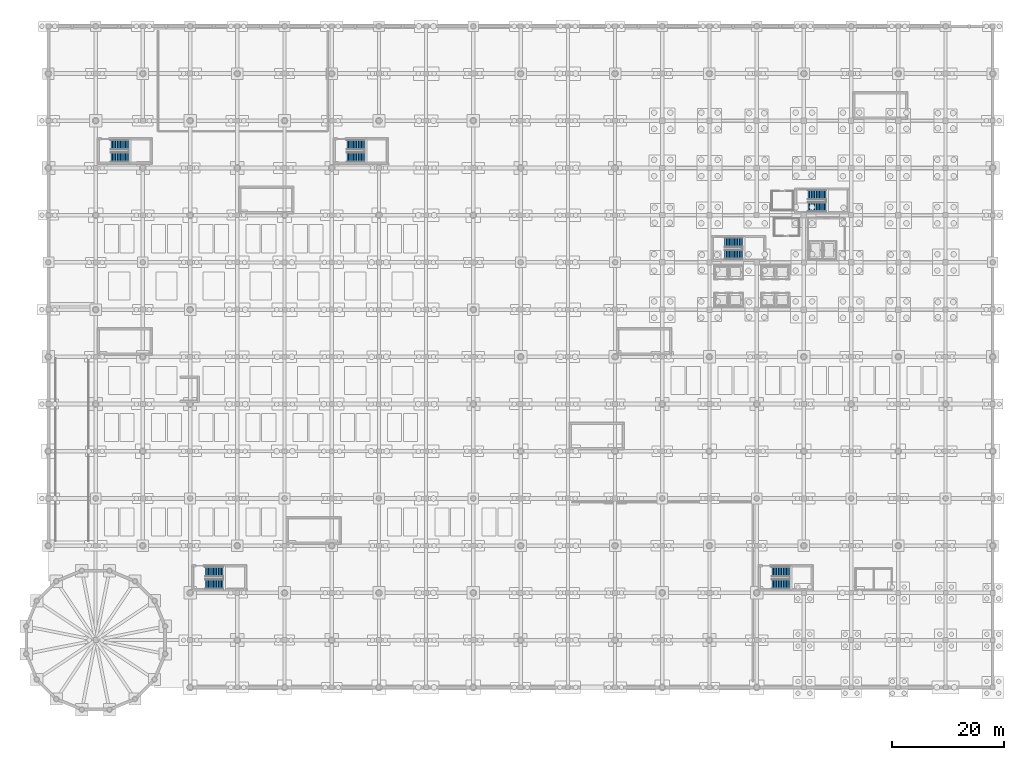
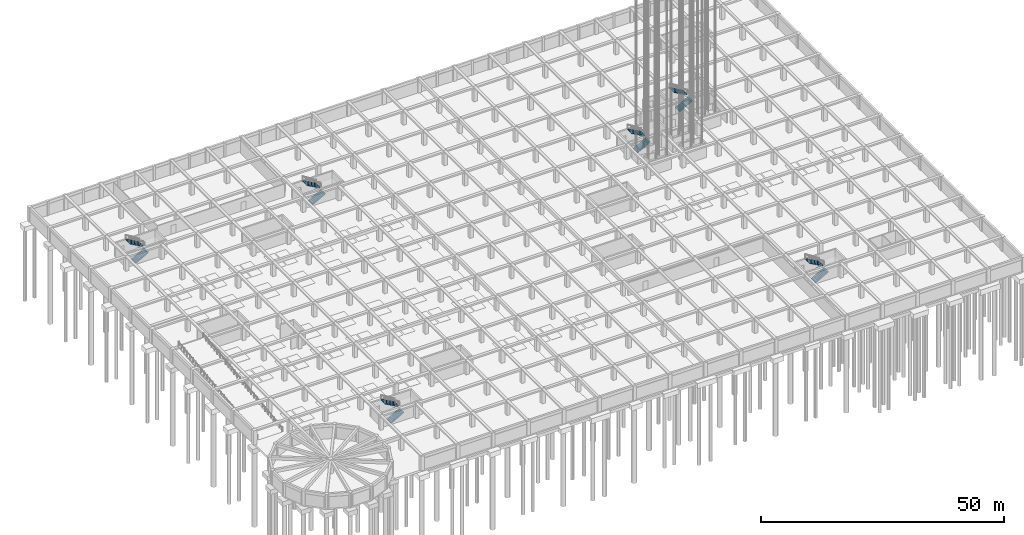
# One storey, part 24 of 47: 12 stair flights, 6 elements without a shape of their own.
"""IFC4 building model written with IfcOpenShell, lengths in metres."""

from ifc_helpers import new_model, si_unit, direction, frame, origin, place, context, subcontext, project, spatial, polyline, outline, extrude, material, layer, layer_set, type_object, element, aggregate, save


model = new_model("IFC4")

# Units and contexts
model_context = context("Model", 3, precision=1e-05, world=origin(), true_north=direction((0.0, 1.0)))
body_context = subcontext(model_context, "Body", "Model", "MODEL_VIEW")
ifc_project = project(units=[si_unit("LENGTHUNIT", "METRE"), si_unit("AREAUNIT", "SQUARE_METRE"), si_unit("VOLUMEUNIT", "CUBIC_METRE"), si_unit("PLANEANGLEUNIT", "RADIAN"), si_unit("MASSUNIT", "GRAM", prefix="KILO")], contexts=[model_context])

# Site, building, storey
site_placement = place(None, origin())
site = spatial("IfcSite", under=ifc_project, at=site_placement, CompositionType="ELEMENT")
building_placement = place(site_placement, origin())
building = spatial("IfcBuilding", under=site, at=building_placement, Name="Almacenes y Pasaje Nevantli", CompositionType="ELEMENT")
storey_placement = place(building_placement, frame((0.0, 0.0, -8.10009765625)))
storey = spatial("IfcBuildingStorey", under=building, at=storey_placement, Name="B02", CompositionType="ELEMENT", Elevation=-8.10009765625)

# Stair, stair flights
ifc_material_1 = material(Name="Concrete C35/45", Category="concrete")
stair_type_1 = type_object("IfcStairType", Name="STR-CORE-1720", PredefinedType="HALF_TURN_STAIR", material=ifc_material_1)
stair_1_placement = place(storey_placement, origin())
stair_1 = element("IfcStair", 1, at=stair_1_placement, inside=storey, type_object=stair_type_1, Name="B02 Staircase ST-01", PredefinedType="HALF_TURN_STAIR")
ifc_material_2 = material(Name="Concrete C35/45", Category="concrete")
ifc_layer = layer(ifc_material_2, 0.199951171875)
ifc_layer_set = layer_set([ifc_layer], Name="Concrete C35/45")
stair_flight_type = type_object("IfcStairFlightType", Name="SFL-RC-200", PredefinedType="STRAIGHT", material=ifc_layer_set)
stair_flight_1_placement = place(storey_placement, frame((120.300048828125, 77.010009765625, 0.0), z_axis=(0.0, 0.0, 1.0), x_axis=(1.0, 0.0, 0.0)))
stair_flight_1 = element("IfcStairFlight", 2, at=stair_flight_1_placement, type_object=stair_flight_type, Name="ST-01-B02 flight 1", NumberOfRisers=12, NumberOfTreads=11, PredefinedType="STRAIGHT", RiserHeight=0.1625, TreadLength=0.29, context=body_context, shape_type="SweptSolid", body=[
    extrude(outline(polyline([(0.0, 0.0), (0.0, 0.16259765625), (0.2900390625, 0.16259765625), (0.2900390625, 0.324951171875), (0.580078125, 0.324951171875), (0.580078125, 0.487548828125), (0.8701171875, 0.487548828125), (0.8701171875, 0.64990234375), (1.159912109375, 0.64990234375), (1.159912109375, 0.8125), (1.449951171875, 0.8125), (1.449951171875, 0.97509765625), (1.739990234375, 0.97509765625), (1.739990234375, 1.137451171875), (2.030029296875, 1.137451171875), (2.030029296875, 1.300048828125), (2.320068359375, 1.300048828125), (2.320068359375, 1.46240234375), (2.610107421875, 1.46240234375), (2.610107421875, 1.625), (2.89990234375, 1.625), (2.89990234375, 1.78759765625), (3.18994140625, 1.78759765625), (3.18994140625, 1.949951171875), (3.18994140625, 1.558349609375), (0.408935546875, 0.0), (0.0, 0.0)])), frame((0.0, 0.85986328125, 0.0), z_axis=(0.0, -1.0, 0.0), x_axis=(1.0, 0.0, 0.0)), (0.0, 0.0, 1.0), 1.719970703125),
])
stair_flight_2_placement = place(storey_placement, frame((123.489990234375, 79.179931640625, 1.9501953125), z_axis=(0.0, 0.0, 1.0), x_axis=(-1.0, 0.0, 0.0)))
stair_flight_2 = element("IfcStairFlight", 3, at=stair_flight_2_placement, type_object=stair_flight_type, Name="ST-01-B02 flight 2", NumberOfRisers=12, NumberOfTreads=11, PredefinedType="STRAIGHT", RiserHeight=0.1625, TreadLength=0.29, context=body_context, shape_type="SweptSolid", body=[
    extrude(outline(polyline([(0.0, 0.0), (0.0, 0.16259765625), (0.2900390625, 0.16259765625), (0.2900390625, 0.324951171875), (0.580078125, 0.324951171875), (0.580078125, 0.487548828125), (0.8701171875, 0.487548828125), (0.8701171875, 0.64990234375), (1.159912109375, 0.64990234375), (1.159912109375, 0.8125), (1.449951171875, 0.8125), (1.449951171875, 0.97509765625), (1.739990234375, 0.97509765625), (1.739990234375, 1.137451171875), (2.030029296875, 1.137451171875), (2.030029296875, 1.300048828125), (2.320068359375, 1.300048828125), (2.320068359375, 1.46240234375), (2.610107421875, 1.46240234375), (2.610107421875, 1.625), (2.89990234375, 1.625), (2.89990234375, 1.78759765625), (3.18994140625, 1.78759765625), (3.18994140625, 1.949951171875), (3.18994140625, 1.558349609375), (0.408935546875, 0.0), (0.0, 0.0)])), frame((0.0, 0.85986328125, 0.0), z_axis=(0.0, -1.0, 0.0), x_axis=(1.0, 0.0, 0.0)), (0.0, 0.0, 1.0), 1.719970703125),
])
aggregate(stair_1, [stair_flight_1, stair_flight_2])

stair_2_placement = place(storey_placement, origin())
stair_2 = element("IfcStair", 4, at=stair_2_placement, inside=storey, type_object=stair_type_1, Name="B02 Staircase ST-02", PredefinedType="HALF_TURN_STAIR")
stair_flight_3_placement = place(storey_placement, frame((135.14990234375, 85.4599609375, 0.0), z_axis=(0.0, 0.0, 1.0), x_axis=(1.0, 0.0, 0.0)))
stair_flight_3 = element("IfcStairFlight", 5, at=stair_flight_3_placement, type_object=stair_flight_type, Name="ST-02-B02 flight 1", NumberOfRisers=12, NumberOfTreads=11, PredefinedType="STRAIGHT", RiserHeight=0.1625, TreadLength=0.29, context=body_context, shape_type="SweptSolid", body=[
    extrude(outline(polyline([(0.0, 0.0), (0.0, 0.16259765625), (0.2900390625, 0.16259765625), (0.2900390625, 0.324951171875), (0.580078125, 0.324951171875), (0.580078125, 0.487548828125), (0.8701171875, 0.487548828125), (0.8701171875, 0.64990234375), (1.159912109375, 0.64990234375), (1.159912109375, 0.8125), (1.449951171875, 0.8125), (1.449951171875, 0.97509765625), (1.739990234375, 0.97509765625), (1.739990234375, 1.137451171875), (2.030029296875, 1.137451171875), (2.030029296875, 1.300048828125), (2.320068359375, 1.300048828125), (2.320068359375, 1.46240234375), (2.610107421875, 1.46240234375), (2.610107421875, 1.625), (2.89990234375, 1.625), (2.89990234375, 1.78759765625), (3.18994140625, 1.78759765625), (3.18994140625, 1.949951171875), (3.18994140625, 1.558349609375), (0.408935546875, 0.0), (0.0, 0.0)])), frame((0.0, 0.85986328125, 0.0), z_axis=(0.0, -1.0, 0.0), x_axis=(1.0, 0.0, 0.0)), (0.0, 0.0, 1.0), 1.719970703125),
])
stair_flight_4_placement = place(storey_placement, frame((138.340087890625, 87.6298828125, 1.9501953125), z_axis=(0.0, 0.0, 1.0), x_axis=(-1.0, 0.0, 0.0)))
stair_flight_4 = element("IfcStairFlight", 6, at=stair_flight_4_placement, type_object=stair_flight_type, Name="ST-02-B02 flight 2", NumberOfRisers=12, NumberOfTreads=11, PredefinedType="STRAIGHT", RiserHeight=0.1625, TreadLength=0.29, context=body_context, shape_type="SweptSolid", body=[
    extrude(outline(polyline([(0.0, 0.0), (0.0, 0.16259765625), (0.2900390625, 0.16259765625), (0.2900390625, 0.324951171875), (0.580078125, 0.324951171875), (0.580078125, 0.487548828125), (0.8701171875, 0.487548828125), (0.8701171875, 0.64990234375), (1.159912109375, 0.64990234375), (1.159912109375, 0.8125), (1.449951171875, 0.8125), (1.449951171875, 0.97509765625), (1.739990234375, 0.97509765625), (1.739990234375, 1.137451171875), (2.030029296875, 1.137451171875), (2.030029296875, 1.300048828125), (2.320068359375, 1.300048828125), (2.320068359375, 1.46240234375), (2.610107421875, 1.46240234375), (2.610107421875, 1.625), (2.89990234375, 1.625), (2.89990234375, 1.78759765625), (3.18994140625, 1.78759765625), (3.18994140625, 1.949951171875), (3.18994140625, 1.558349609375), (0.408935546875, 0.0), (0.0, 0.0)])), frame((0.0, 0.85986328125, 0.0), z_axis=(0.0, -1.0, 0.0), x_axis=(1.0, 0.0, 0.0)), (0.0, 0.0, 1.0), 1.719970703125),
])
aggregate(stair_2, [stair_flight_3, stair_flight_4])

ifc_material_3 = material(Name="Concrete C35/45", Category="concrete")
stair_type_2 = type_object("IfcStairType", Name="STR-CORE-1750", PredefinedType="HALF_TURN_STAIR", material=ifc_material_3)
stair_3_placement = place(storey_placement, origin())
stair_3 = element("IfcStair", 7, at=stair_3_placement, inside=storey, type_object=stair_type_2, Name="B02 Staircase ST-03", PredefinedType="HALF_TURN_STAIR")
stair_flight_5_placement = place(storey_placement, frame((11.10009765625, 94.324951171875, 0.0), z_axis=(0.0, 0.0, 1.0), x_axis=(1.0, 0.0, 0.0)))
stair_flight_5 = element("IfcStairFlight", 8, at=stair_flight_5_placement, type_object=stair_flight_type, Name="ST-03-B02 flight 1", NumberOfRisers=12, NumberOfTreads=11, PredefinedType="STRAIGHT", RiserHeight=0.1625, TreadLength=0.29, context=body_context, shape_type="SweptSolid", body=[
    extrude(outline(polyline([(0.0, 0.0), (0.0, 0.16259765625), (0.2900390625, 0.16259765625), (0.2900390625, 0.324951171875), (0.580078125, 0.324951171875), (0.580078125, 0.487548828125), (0.8701171875, 0.487548828125), (0.8701171875, 0.64990234375), (1.159912109375, 0.64990234375), (1.159912109375, 0.8125), (1.449951171875, 0.8125), (1.449951171875, 0.97509765625), (1.739990234375, 0.97509765625), (1.739990234375, 1.137451171875), (2.030029296875, 1.137451171875), (2.030029296875, 1.300048828125), (2.320068359375, 1.300048828125), (2.320068359375, 1.46240234375), (2.610107421875, 1.46240234375), (2.610107421875, 1.625), (2.89990234375, 1.625), (2.89990234375, 1.78759765625), (3.18994140625, 1.78759765625), (3.18994140625, 1.949951171875), (3.18994140625, 1.558349609375), (0.408935546875, 0.0), (0.0, 0.0)])), frame((0.0, 0.875, 0.0), z_axis=(0.0, -1.0, 0.0), x_axis=(1.0, 0.0, 0.0)), (0.0, 0.0, 1.0), 1.75),
])
stair_flight_6_placement = place(storey_placement, frame((14.2900390625, 96.52490234375, 1.9501953125), z_axis=(0.0, 0.0, 1.0), x_axis=(-1.0, 0.0, 0.0)))
stair_flight_6 = element("IfcStairFlight", 9, at=stair_flight_6_placement, type_object=stair_flight_type, Name="ST-03-B02 flight 2", NumberOfRisers=12, NumberOfTreads=11, PredefinedType="STRAIGHT", RiserHeight=0.1625, TreadLength=0.29, context=body_context, shape_type="SweptSolid", body=[
    extrude(outline(polyline([(0.0, 0.0), (0.0, 0.16259765625), (0.2900390625, 0.16259765625), (0.2900390625, 0.324951171875), (0.580078125, 0.324951171875), (0.580078125, 0.487548828125), (0.8701171875, 0.487548828125), (0.8701171875, 0.64990234375), (1.159912109375, 0.64990234375), (1.159912109375, 0.8125), (1.449951171875, 0.8125), (1.449951171875, 0.97509765625), (1.739990234375, 0.97509765625), (1.739990234375, 1.137451171875), (2.030029296875, 1.137451171875), (2.030029296875, 1.300048828125), (2.320068359375, 1.300048828125), (2.320068359375, 1.46240234375), (2.610107421875, 1.46240234375), (2.610107421875, 1.625), (2.89990234375, 1.625), (2.89990234375, 1.78759765625), (3.18994140625, 1.78759765625), (3.18994140625, 1.949951171875), (3.18994140625, 1.558349609375), (0.408935546875, 0.0), (0.0, 0.0)])), frame((0.0, 0.875, 0.0), z_axis=(0.0, -1.0, 0.0), x_axis=(1.0, 0.0, 0.0)), (0.0, 0.0, 1.0), 1.75),
])
aggregate(stair_3, [stair_flight_5, stair_flight_6])

stair_4_placement = place(storey_placement, origin())
stair_4 = element("IfcStair", 10, at=stair_4_placement, inside=storey, type_object=stair_type_2, Name="B02 Staircase ST-04", PredefinedType="HALF_TURN_STAIR")
stair_flight_7_placement = place(storey_placement, frame((27.89990234375, 18.375, 0.0), z_axis=(0.0, 0.0, 1.0), x_axis=(1.0, 0.0, 0.0)))
stair_flight_7 = element("IfcStairFlight", 11, at=stair_flight_7_placement, type_object=stair_flight_type, Name="ST-04-B02 flight 1", NumberOfRisers=12, NumberOfTreads=11, PredefinedType="STRAIGHT", RiserHeight=0.1625, TreadLength=0.29, context=body_context, shape_type="SweptSolid", body=[
    extrude(outline(polyline([(0.0, 0.0), (0.0, 0.16259765625), (0.2900390625, 0.16259765625), (0.2900390625, 0.324951171875), (0.580078125, 0.324951171875), (0.580078125, 0.487548828125), (0.8701171875, 0.487548828125), (0.8701171875, 0.64990234375), (1.159912109375, 0.64990234375), (1.159912109375, 0.8125), (1.449951171875, 0.8125), (1.449951171875, 0.97509765625), (1.739990234375, 0.97509765625), (1.739990234375, 1.137451171875), (2.030029296875, 1.137451171875), (2.030029296875, 1.300048828125), (2.320068359375, 1.300048828125), (2.320068359375, 1.46240234375), (2.610107421875, 1.46240234375), (2.610107421875, 1.625), (2.89990234375, 1.625), (2.89990234375, 1.78759765625), (3.18994140625, 1.78759765625), (3.18994140625, 1.949951171875), (3.18994140625, 1.558349609375), (0.408935546875, 0.0), (0.0, 0.0)])), frame((0.0, 0.875, 0.0), z_axis=(0.0, -1.0, 0.0), x_axis=(1.0, 0.0, 0.0)), (0.0, 0.0, 1.0), 1.75),
])
stair_flight_8_placement = place(storey_placement, frame((31.090087890625, 20.574951171875, 1.9501953125), z_axis=(0.0, 0.0, 1.0), x_axis=(-1.0, 0.0, 0.0)))
stair_flight_8 = element("IfcStairFlight", 12, at=stair_flight_8_placement, type_object=stair_flight_type, Name="ST-04-B02 flight 2", NumberOfRisers=12, NumberOfTreads=11, PredefinedType="STRAIGHT", RiserHeight=0.1625, TreadLength=0.29, context=body_context, shape_type="SweptSolid", body=[
    extrude(outline(polyline([(0.0, 0.0), (0.0, 0.16259765625), (0.2900390625, 0.16259765625), (0.2900390625, 0.324951171875), (0.580078125, 0.324951171875), (0.580078125, 0.487548828125), (0.8701171875, 0.487548828125), (0.8701171875, 0.64990234375), (1.159912109375, 0.64990234375), (1.159912109375, 0.8125), (1.449951171875, 0.8125), (1.449951171875, 0.97509765625), (1.739990234375, 0.97509765625), (1.739990234375, 1.137451171875), (2.030029296875, 1.137451171875), (2.030029296875, 1.300048828125), (2.320068359375, 1.300048828125), (2.320068359375, 1.46240234375), (2.610107421875, 1.46240234375), (2.610107421875, 1.625), (2.89990234375, 1.625), (2.89990234375, 1.78759765625), (3.18994140625, 1.78759765625), (3.18994140625, 1.949951171875), (3.18994140625, 1.558349609375), (0.408935546875, 0.0), (0.0, 0.0)])), frame((0.0, 0.875, 0.0), z_axis=(0.0, -1.0, 0.0), x_axis=(1.0, 0.0, 0.0)), (0.0, 0.0, 1.0), 1.75),
])
aggregate(stair_4, [stair_flight_7, stair_flight_8])

stair_5_placement = place(storey_placement, origin())
stair_5 = element("IfcStair", 13, at=stair_5_placement, inside=storey, type_object=stair_type_2, Name="B02 Staircase ST-05", PredefinedType="HALF_TURN_STAIR")
stair_flight_9_placement = place(storey_placement, frame((53.10009765625, 94.324951171875, 0.0), z_axis=(0.0, 0.0, 1.0), x_axis=(1.0, 0.0, 0.0)))
stair_flight_9 = element("IfcStairFlight", 14, at=stair_flight_9_placement, type_object=stair_flight_type, Name="ST-05-B02 flight 1", NumberOfRisers=12, NumberOfTreads=11, PredefinedType="STRAIGHT", RiserHeight=0.1625, TreadLength=0.29, context=body_context, shape_type="SweptSolid", body=[
    extrude(outline(polyline([(0.0, 0.0), (0.0, 0.16259765625), (0.2900390625, 0.16259765625), (0.2900390625, 0.324951171875), (0.580078125, 0.324951171875), (0.580078125, 0.487548828125), (0.8701171875, 0.487548828125), (0.8701171875, 0.64990234375), (1.159912109375, 0.64990234375), (1.159912109375, 0.8125), (1.449951171875, 0.8125), (1.449951171875, 0.97509765625), (1.739990234375, 0.97509765625), (1.739990234375, 1.137451171875), (2.030029296875, 1.137451171875), (2.030029296875, 1.300048828125), (2.320068359375, 1.300048828125), (2.320068359375, 1.46240234375), (2.610107421875, 1.46240234375), (2.610107421875, 1.625), (2.89990234375, 1.625), (2.89990234375, 1.78759765625), (3.18994140625, 1.78759765625), (3.18994140625, 1.949951171875), (3.18994140625, 1.558349609375), (0.408935546875, 0.0), (0.0, 0.0)])), frame((0.0, 0.875, 0.0), z_axis=(0.0, -1.0, 0.0), x_axis=(1.0, 0.0, 0.0)), (0.0, 0.0, 1.0), 1.75),
])
stair_flight_10_placement = place(storey_placement, frame((56.2900390625, 96.52490234375, 1.9501953125), z_axis=(0.0, 0.0, 1.0), x_axis=(-1.0, 0.0, 0.0)))
stair_flight_10 = element("IfcStairFlight", 15, at=stair_flight_10_placement, type_object=stair_flight_type, Name="ST-05-B02 flight 2", NumberOfRisers=12, NumberOfTreads=11, PredefinedType="STRAIGHT", RiserHeight=0.1625, TreadLength=0.29, context=body_context, shape_type="SweptSolid", body=[
    extrude(outline(polyline([(0.0, 0.0), (0.0, 0.16259765625), (0.2900390625, 0.16259765625), (0.2900390625, 0.324951171875), (0.580078125, 0.324951171875), (0.580078125, 0.487548828125), (0.8701171875, 0.487548828125), (0.8701171875, 0.64990234375), (1.159912109375, 0.64990234375), (1.159912109375, 0.8125), (1.449951171875, 0.8125), (1.449951171875, 0.97509765625), (1.739990234375, 0.97509765625), (1.739990234375, 1.137451171875), (2.030029296875, 1.137451171875), (2.030029296875, 1.300048828125), (2.320068359375, 1.300048828125), (2.320068359375, 1.46240234375), (2.610107421875, 1.46240234375), (2.610107421875, 1.625), (2.89990234375, 1.625), (2.89990234375, 1.78759765625), (3.18994140625, 1.78759765625), (3.18994140625, 1.949951171875), (3.18994140625, 1.558349609375), (0.408935546875, 0.0), (0.0, 0.0)])), frame((0.0, 0.875, 0.0), z_axis=(0.0, -1.0, 0.0), x_axis=(1.0, 0.0, 0.0)), (0.0, 0.0, 1.0), 1.75),
])
aggregate(stair_5, [stair_flight_9, stair_flight_10])

stair_6_placement = place(storey_placement, origin())
stair_6 = element("IfcStair", 16, at=stair_6_placement, inside=storey, type_object=stair_type_2, Name="B02 Staircase ST-06", PredefinedType="HALF_TURN_STAIR")
stair_flight_11_placement = place(storey_placement, frame((128.699951171875, 18.375, 0.0), z_axis=(0.0, 0.0, 1.0), x_axis=(1.0, 0.0, 0.0)))
stair_flight_11 = element("IfcStairFlight", 17, at=stair_flight_11_placement, type_object=stair_flight_type, Name="ST-06-B02 flight 1", NumberOfRisers=12, NumberOfTreads=11, PredefinedType="STRAIGHT", RiserHeight=0.1625, TreadLength=0.29, context=body_context, shape_type="SweptSolid", body=[
    extrude(outline(polyline([(0.0, 0.0), (0.0, 0.16259765625), (0.2900390625, 0.16259765625), (0.2900390625, 0.324951171875), (0.580078125, 0.324951171875), (0.580078125, 0.487548828125), (0.8701171875, 0.487548828125), (0.8701171875, 0.64990234375), (1.159912109375, 0.64990234375), (1.159912109375, 0.8125), (1.449951171875, 0.8125), (1.449951171875, 0.97509765625), (1.739990234375, 0.97509765625), (1.739990234375, 1.137451171875), (2.030029296875, 1.137451171875), (2.030029296875, 1.300048828125), (2.320068359375, 1.300048828125), (2.320068359375, 1.46240234375), (2.610107421875, 1.46240234375), (2.610107421875, 1.625), (2.89990234375, 1.625), (2.89990234375, 1.78759765625), (3.18994140625, 1.78759765625), (3.18994140625, 1.949951171875), (3.18994140625, 1.558349609375), (0.408935546875, 0.0), (0.0, 0.0)])), frame((0.0, 0.875, 0.0), z_axis=(0.0, -1.0, 0.0), x_axis=(1.0, 0.0, 0.0)), (0.0, 0.0, 1.0), 1.75),
])
stair_flight_12_placement = place(storey_placement, frame((131.889892578125, 20.574951171875, 1.9501953125), z_axis=(0.0, 0.0, 1.0), x_axis=(-1.0, 0.0, 0.0)))
stair_flight_12 = element("IfcStairFlight", 18, at=stair_flight_12_placement, type_object=stair_flight_type, Name="ST-06-B02 flight 2", NumberOfRisers=12, NumberOfTreads=11, PredefinedType="STRAIGHT", RiserHeight=0.1625, TreadLength=0.29, context=body_context, shape_type="SweptSolid", body=[
    extrude(outline(polyline([(0.0, 0.0), (0.0, 0.16259765625), (0.2900390625, 0.16259765625), (0.2900390625, 0.324951171875), (0.580078125, 0.324951171875), (0.580078125, 0.487548828125), (0.8701171875, 0.487548828125), (0.8701171875, 0.64990234375), (1.159912109375, 0.64990234375), (1.159912109375, 0.8125), (1.449951171875, 0.8125), (1.449951171875, 0.97509765625), (1.739990234375, 0.97509765625), (1.739990234375, 1.137451171875), (2.030029296875, 1.137451171875), (2.030029296875, 1.300048828125), (2.320068359375, 1.300048828125), (2.320068359375, 1.46240234375), (2.610107421875, 1.46240234375), (2.610107421875, 1.625), (2.89990234375, 1.625), (2.89990234375, 1.78759765625), (3.18994140625, 1.78759765625), (3.18994140625, 1.949951171875), (3.18994140625, 1.558349609375), (0.408935546875, 0.0), (0.0, 0.0)])), frame((0.0, 0.875, 0.0), z_axis=(0.0, -1.0, 0.0), x_axis=(1.0, 0.0, 0.0)), (0.0, 0.0, 1.0), 1.75),
])
aggregate(stair_6, [stair_flight_11, stair_flight_12])

save(model, "model.ifc")
